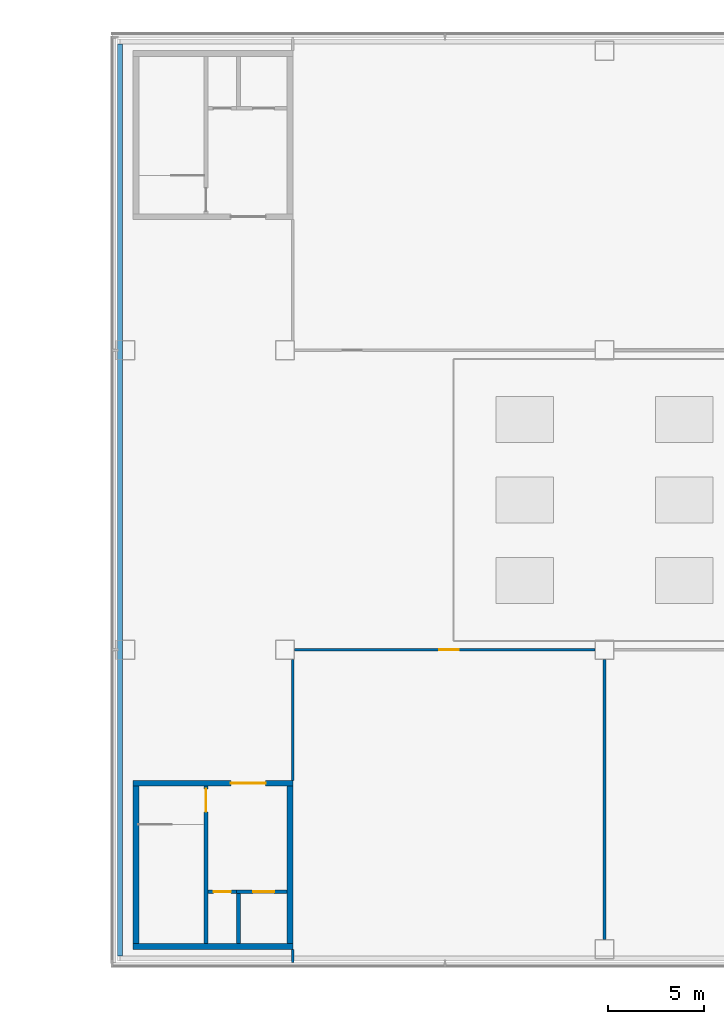
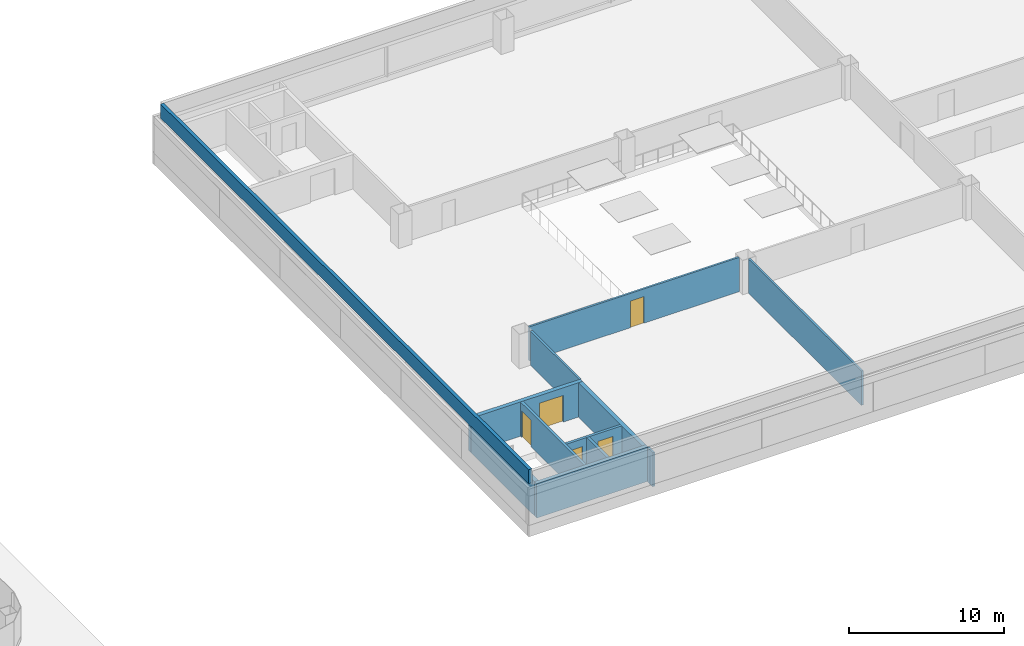
# One storey, part 28 of 42: 13 walls, 5 doors, 5 openings.
"""IFC4 building model written with IfcOpenShell, lengths in metres."""

from ifc_helpers import new_model, si_unit, direction, frame, frame_2d, origin, place, context, subcontext, project, spatial, rectangle, extrude, material, layer, layer_set, type_object, element, fill, save


model = new_model("IFC4")

# Units and contexts
model_context = context("Model", 3, precision=1e-05, world=origin(), true_north=direction((0.0, 1.0)))
body_context = subcontext(model_context, "Body", "Model", "MODEL_VIEW")
ifc_project = project(units=[si_unit("LENGTHUNIT", "METRE"), si_unit("AREAUNIT", "SQUARE_METRE"), si_unit("VOLUMEUNIT", "CUBIC_METRE"), si_unit("PLANEANGLEUNIT", "RADIAN"), si_unit("MASSUNIT", "GRAM", prefix="KILO")], contexts=[model_context])

# Site, building, storey
site_placement = place(None, origin())
site = spatial("IfcSite", under=ifc_project, at=site_placement, CompositionType="ELEMENT")
building_placement = place(site_placement, origin())
building = spatial("IfcBuilding", under=site, at=building_placement, Name="Hakoniwa Tower and Hamabe Station Hall", CompositionType="ELEMENT")
storey_placement = place(building_placement, frame((0.0, 0.0, 19.800048828125)))
storey = spatial("IfcBuildingStorey", under=building, at=storey_placement, Name="L04", CompositionType="ELEMENT", Elevation=19.800048828125)

# Wall, opening, door
ifc_material_1 = material(Name="Concrete block masonry fb10", Category="masonry")
ifc_layer_1 = layer(ifc_material_1, 0.199951171875)
ifc_layer_set_1 = layer_set([ifc_layer_1], Name="BLOCK WALL 200 EI 60")
wall_type_1 = type_object("IfcWallType", Name="BLOCK WALL 200 EI 60", PredefinedType="PARTITIONING", material=ifc_layer_set_1)
wall_1_placement = place(storey_placement, frame((90.25, -20.39990234375, 0.0), z_axis=(0.0, 0.0, 1.0), x_axis=(1.0, 0.0, 0.0)))
wall_1 = element("IfcWall", 1, at=wall_1_placement, inside=storey, type_object=wall_type_1, Name="Station riser room wall SC3 L04", PredefinedType="PARTITIONING", context=body_context, shape_type="SweptSolid", body=[
    extrude(rectangle(XDim=1.5, YDim=0.199951171875, at=frame_2d((0.75, 0.0))), origin(), (0.0, 0.0, 1.0), 2.699951171875),
])
opening_1_placement = place(wall_1_placement, frame((0.300048828125, 0.0, 0.0)))
opening_1 = element("IfcOpeningElement", 2, at=opening_1_placement, cuts=wall_1, Name="Opening SD-L04-024", PredefinedType="OPENING", context=body_context, shape_type="SweptSolid", body=[
    extrude(rectangle(XDim=0.89990234375, YDim=2.10009765625, at=frame_2d((0.449951171875, 1.050048828125))), frame((0.0, 0.10986328125, 0.0), z_axis=(0.0, -1.0, 0.0), x_axis=(1.0, 0.0, 0.0)), (0.0, 0.0, 1.0), 0.219970703125),
])
ifc_material_2 = material(Name="Steel fire door", Category="steel")
door_type_1 = type_object("IfcDoorType", Name="FIRE DOOR 900X2100 FD30", OperationType="SINGLE_SWING_LEFT", PredefinedType="DOOR", material=ifc_material_2)
door_1_placement = place(opening_1_placement, origin())
door_1 = element("IfcDoor", 3, at=door_1_placement, inside=storey, type_object=door_type_1, Name="Door riser SC3", OperationType="SINGLE_SWING_RIGHT", OverallHeight=2.10009765625, OverallWidth=0.89990234375, PredefinedType="DOOR", context=body_context, shape_type="SweptSolid", body=[
    extrude(rectangle(XDim=0.89990234375, YDim=2.10009765625, at=frame_2d((0.449951171875, 1.050048828125))), frame((0.0, 0.02490234375, 0.0), z_axis=(0.0, -1.0, 0.0), x_axis=(1.0, 0.0, 0.0)), (0.0, 0.0, 1.0), 0.050048828125),
])
fill(opening_1, door_1)

ifc_material_3 = material(Name="Fire-rated gypsum board partition")
ifc_layer_2 = layer(ifc_material_3, 0.14990234375)
ifc_layer_set_2 = layer_set([ifc_layer_2], Name="FIRE PARTITION 150 EI 60")
wall_type_2 = type_object("IfcWallType", Name="FIRE PARTITION 150 EI 60", PredefinedType="PARTITIONING", material=ifc_layer_set_2)
wall_2_placement = place(storey_placement, frame((94.77001953125, -7.800048828125, 0.0), z_axis=(0.0, 0.0, 1.0), x_axis=(1.0, 0.0, 0.0)))
wall_2 = element("IfcWall", 4, at=wall_2_placement, inside=storey, type_object=wall_type_2, Name="Partition L04 1", PredefinedType="PARTITIONING", context=body_context, shape_type="SweptSolid", body=[
    extrude(rectangle(XDim=15.639892578125, YDim=0.14990234375, at=frame_2d((7.81982421875, 0.0))), origin(), (0.0, 0.0, 1.0), 2.699951171875),
])
opening_2_placement = place(wall_2_placement, frame((7.534912109375, 0.0, 0.0)))
opening_2 = element("IfcOpeningElement", 5, at=opening_2_placement, cuts=wall_2, Name="Opening SD-L04-003", PredefinedType="OPENING", context=body_context, shape_type="SweptSolid", body=[
    extrude(rectangle(XDim=1.0, YDim=2.10009765625, at=frame_2d((0.5, 1.050048828125))), frame((0.0, 0.0849609375, 0.0), z_axis=(0.0, -1.0, 0.0), x_axis=(1.0, 0.0, 0.0)), (0.0, 0.0, 1.0), 0.169921875),
])
ifc_material_4 = material(Name="Timber door leaf", Category="wood")
door_type_2 = type_object("IfcDoorType", Name="SINGLE DOOR 1000X2100", OperationType="SINGLE_SWING_LEFT", PredefinedType="DOOR", material=ifc_material_4)
door_2_placement = place(opening_2_placement, origin())
door_2 = element("IfcDoor", 6, at=door_2_placement, inside=storey, type_object=door_type_2, Name="Door Board Room", OperationType="SINGLE_SWING_LEFT", OverallHeight=2.10009765625, OverallWidth=1.0, PredefinedType="DOOR", context=body_context, shape_type="SweptSolid", body=[
    extrude(rectangle(XDim=1.0, YDim=2.10009765625, at=frame_2d((0.5, 1.050048828125))), frame((0.0, 0.02490234375, 0.0), z_axis=(0.0, -1.0, 0.0), x_axis=(1.0, 0.0, 0.0)), (0.0, 0.0, 1.0), 0.050048828125),
])
fill(opening_2, door_2)

# Walls
wall_3_placement = place(storey_placement, frame((94.669921875, -24.10009765625, 0.0), z_axis=(0.0, 0.0, 1.0), x_axis=(0.0, 1.0, 0.0)))
element("IfcWall", 7, at=wall_3_placement, inside=storey, type_object=wall_type_2, Name="Partition L04 5", PredefinedType="PARTITIONING", context=body_context, shape_type="SweptSolid", body=[
    extrude(rectangle(XDim=0.7001953125, YDim=0.14990234375, at=frame_2d((0.35009765625, 0.0))), origin(), (0.0, 0.0, 1.0), 2.699951171875),
])
wall_4_placement = place(storey_placement, frame((94.669921875, -14.60009765625, 0.0), z_axis=(0.0, 0.0, 1.0), x_axis=(0.0, 1.0, 0.0)))
element("IfcWall", 8, at=wall_4_placement, inside=storey, type_object=wall_type_2, Name="Partition L04 6", PredefinedType="PARTITIONING", context=body_context, shape_type="SweptSolid", body=[
    extrude(rectangle(XDim=6.300048828125, YDim=0.14990234375, at=frame_2d((3.14990234375, 0.0))), origin(), (0.0, 0.0, 1.0), 2.699951171875),
])
wall_5_placement = place(storey_placement, frame((110.909912109375, -22.89990234375, 0.0), z_axis=(0.0, 0.0, 1.0), x_axis=(0.0, 1.0, 0.0)))
element("IfcWall", 9, at=wall_5_placement, inside=storey, type_object=wall_type_2, Name="Partition L04 9", PredefinedType="PARTITIONING", context=body_context, shape_type="SweptSolid", body=[
    extrude(rectangle(XDim=14.599853515625, YDim=0.14990234375, at=frame_2d((7.2998046875, 0.0))), origin(), (0.0, 0.0, 1.0), 2.699951171875),
])
ifc_material_5 = material(Name="Concrete C30", Category="concrete")
ifc_layer_3 = layer(ifc_material_5, 0.25)
ifc_layer_set_3 = layer_set([ifc_layer_3], Name="PARAPET WALL 250")
wall_type_3 = type_object("IfcWallType", Name="PARAPET WALL 250", PredefinedType="PARAPET", material=ifc_layer_set_3)
wall_6_placement = place(storey_placement, frame((85.675048828125, 23.75, 3.199951171875), z_axis=(0.0, 0.0, 1.0), x_axis=(0.0, -1.0, 0.0)))
element("IfcWall", 10, at=wall_6_placement, inside=storey, type_object=wall_type_3, Name="Station roof parapet", PredefinedType="PARAPET", context=body_context, shape_type="SweptSolid", body=[
    extrude(rectangle(XDim=47.5, YDim=0.25, at=frame_2d((23.75, 0.0))), origin(), (0.0, 0.0, 1.0), 1.10009765625),
])

# Wall, opening, door
ifc_material_6 = material(Name="Concrete C60", Category="concrete")
ifc_layer_4 = layer(ifc_material_6, 0.199951171875)
ifc_layer_set_4 = layer_set([ifc_layer_4], Name="RC WALL 200 EI 120 C60")
wall_type_4 = type_object("IfcWallType", Name="RC WALL 200 EI 120 C60", PredefinedType="SHEAR", material=ifc_layer_set_4)
wall_7_placement = place(storey_placement, frame((90.14990234375, -23.10009765625, 0.0), z_axis=(0.0, 0.0, 1.0), x_axis=(0.0, 1.0, 0.0)))
wall_7 = element("IfcWall", 11, at=wall_7_placement, inside=storey, type_object=wall_type_4, Name="Station stair wall SC3 L04", PredefinedType="SHEAR", context=body_context, shape_type="SweptSolid", body=[
    extrude(rectangle(XDim=8.2001953125, YDim=0.199951171875, at=frame_2d((4.10009765625, 0.0))), origin(), (0.0, 0.0, 1.0), 2.699951171875),
])
opening_3_placement = place(wall_7_placement, frame((6.85009765625, 0.0, 0.0)))
opening_3 = element("IfcOpeningElement", 12, at=opening_3_placement, cuts=wall_7, Name="Opening SD-L04-023", PredefinedType="OPENING", context=body_context, shape_type="SweptSolid", body=[
    extrude(rectangle(XDim=1.199951171875, YDim=2.10009765625, at=frame_2d((0.60009765625, 1.050048828125))), frame((0.0, 0.10986328125, 0.0), z_axis=(0.0, -1.0, 0.0), x_axis=(1.0, 0.0, 0.0)), (0.0, 0.0, 1.0), 0.219970703125),
])
ifc_material_7 = material(Name="Steel fire door", Category="steel")
door_type_3 = type_object("IfcDoorType", Name="FIRE DOOR 1200X2100 FD60", OperationType="SINGLE_SWING_LEFT", PredefinedType="DOOR", material=ifc_material_7)
door_3_placement = place(opening_3_placement, origin())
door_3 = element("IfcDoor", 13, at=door_3_placement, inside=storey, type_object=door_type_3, Name="Door escape stair SC3", OperationType="SINGLE_SWING_LEFT", OverallHeight=2.10009765625, OverallWidth=1.199951171875, PredefinedType="DOOR", context=body_context, shape_type="SweptSolid", body=[
    extrude(rectangle(XDim=1.199951171875, YDim=2.10009765625, at=frame_2d((0.60009765625, 1.050048828125))), frame((0.0, 0.02490234375, 0.0), z_axis=(0.0, -1.0, 0.0), x_axis=(1.0, 0.0, 0.0)), (0.0, 0.0, 1.0), 0.050048828125),
])
fill(opening_3, door_3)

# Wall
ifc_material_8 = material(Name="Concrete C60", Category="concrete")
ifc_layer_5 = layer(ifc_material_8, 0.199951171875)
ifc_layer_set_5 = layer_set([ifc_layer_5], Name="RC WALL 200 EI 60 C60")
wall_type_5 = type_object("IfcWallType", Name="RC WALL 200 EI 60 C60", PredefinedType="SHEAR", material=ifc_layer_set_5)
wall_8_placement = place(storey_placement, frame((91.85009765625, -23.10009765625, 0.0), z_axis=(0.0, 0.0, 1.0), x_axis=(0.0, 1.0, 0.0)))
element("IfcWall", 14, at=wall_8_placement, inside=storey, type_object=wall_type_5, Name="Station hoistway wall SC3 L04", PredefinedType="SHEAR", context=body_context, shape_type="SweptSolid", body=[
    extrude(rectangle(XDim=2.60009765625, YDim=0.199951171875, at=frame_2d((1.300048828125, 0.0))), origin(), (0.0, 0.0, 1.0), 2.699951171875),
])

# Wall, opening, door
wall_9_placement = place(storey_placement, frame((91.75, -20.39990234375, 0.0), z_axis=(0.0, 0.0, 1.0), x_axis=(1.0, 0.0, 0.0)))
wall_9 = element("IfcWall", 15, at=wall_9_placement, inside=storey, type_object=wall_type_5, Name="Station hoistway front wall SC3 L04", PredefinedType="SHEAR", context=body_context, shape_type="SweptSolid", body=[
    extrude(rectangle(XDim=2.6201171875, YDim=0.199951171875, at=frame_2d((1.31005859375, 0.0))), origin(), (0.0, 0.0, 1.0), 2.699951171875),
])
opening_4_placement = place(wall_9_placement, frame((0.85009765625, 0.0, 0.0)))
opening_4 = element("IfcOpeningElement", 16, at=opening_4_placement, cuts=wall_9, Name="Opening LD-SL3-L04", PredefinedType="OPENING", context=body_context, shape_type="SweptSolid", body=[
    extrude(rectangle(XDim=1.10009765625, YDim=2.10009765625, at=frame_2d((0.550048828125, 1.050048828125))), frame((0.0, 0.10986328125, 0.0), z_axis=(0.0, -1.0, 0.0), x_axis=(1.0, 0.0, 0.0)), (0.0, 0.0, 1.0), 0.219970703125),
])
ifc_material_9 = material(Name="Stainless steel SUS304", Category="steel")
door_type_4 = type_object("IfcDoorType", Name="LIFT LANDING DOOR 1100X2100", OperationType="DOUBLE_DOOR_SLIDING", PredefinedType="DOOR", material=ifc_material_9)
door_4_placement = place(opening_4_placement, origin())
door_4 = element("IfcDoor", 17, at=door_4_placement, inside=storey, type_object=door_type_4, Name="Lift landing door SL3 L04", OperationType="DOUBLE_DOOR_SLIDING", OverallHeight=2.10009765625, OverallWidth=1.10009765625, PredefinedType="DOOR", context=body_context, shape_type="SweptSolid", body=[
    extrude(rectangle(XDim=1.10009765625, YDim=2.10009765625, at=frame_2d((0.550048828125, 1.050048828125))), frame((0.0, 0.02490234375, 0.0), z_axis=(0.0, -1.0, 0.0), x_axis=(1.0, 0.0, 0.0)), (0.0, 0.0, 1.0), 0.050048828125),
])
fill(opening_4, door_4)

# Wall
ifc_material_10 = material(Name="Concrete C60", Category="concrete")
ifc_layer_6 = layer(ifc_material_10, 0.300048828125)
ifc_layer_set_6 = layer_set([ifc_layer_6], Name="RC WALL 300 EI 120 C60")
wall_type_6 = type_object("IfcWallType", Name="RC WALL 300 EI 120 C60", PredefinedType="SHEAR", material=ifc_layer_set_6)
wall_10_placement = place(storey_placement, frame((86.35009765625, -23.25, 0.0), z_axis=(0.0, 0.0, 1.0), x_axis=(1.0, 0.0, 0.0)))
element("IfcWall", 18, at=wall_10_placement, inside=storey, type_object=wall_type_6, Name="Station core wall SC3 outer-v L04", PredefinedType="SHEAR", context=body_context, shape_type="SweptSolid", body=[
    extrude(rectangle(XDim=8.31982421875, YDim=0.300048828125, at=frame_2d((4.159912109375, 0.0))), origin(), (0.0, 0.0, 1.0), 2.699951171875),
])

# Wall, opening, door
wall_11_placement = place(storey_placement, frame((86.35009765625, -14.75, 0.0), z_axis=(0.0, 0.0, 1.0), x_axis=(1.0, 0.0, 0.0)))
wall_11 = element("IfcWall", 19, at=wall_11_placement, inside=storey, type_object=wall_type_6, Name="Station core wall SC3 inner-v L04", PredefinedType="SHEAR", context=body_context, shape_type="SweptSolid", body=[
    extrude(rectangle(XDim=8.31982421875, YDim=0.300048828125, at=frame_2d((4.159912109375, 0.0))), origin(), (0.0, 0.0, 1.0), 2.699951171875),
])
opening_5_placement = place(wall_11_placement, frame((5.10009765625, 0.0, 0.0)))
opening_5 = element("IfcOpeningElement", 20, at=opening_5_placement, cuts=wall_11, Name="Opening SD-L04-022", PredefinedType="OPENING", context=body_context, shape_type="SweptSolid", body=[
    extrude(rectangle(XDim=1.800048828125, YDim=2.10009765625, at=frame_2d((0.89990234375, 1.050048828125))), frame((0.0, 0.159912109375, 0.0), z_axis=(0.0, -1.0, 0.0), x_axis=(1.0, 0.0, 0.0)), (0.0, 0.0, 1.0), 0.320068359375),
])
ifc_material_11 = material(Name="Steel fire door", Category="steel")
door_type_5 = type_object("IfcDoorType", Name="FIRE DOUBLE DOOR 1800X2100 FD60", OperationType="DOUBLE_DOOR_SINGLE_SWING", PredefinedType="DOOR", material=ifc_material_11)
door_5_placement = place(opening_5_placement, origin())
door_5 = element("IfcDoor", 21, at=door_5_placement, inside=storey, type_object=door_type_5, Name="Door lobby SC3", OperationType="DOUBLE_DOOR_SINGLE_SWING", OverallHeight=2.10009765625, OverallWidth=1.800048828125, PredefinedType="DOOR", context=body_context, shape_type="SweptSolid", body=[
    extrude(rectangle(XDim=1.800048828125, YDim=2.10009765625, at=frame_2d((0.89990234375, 1.050048828125))), frame((0.0, 0.02490234375, 0.0), z_axis=(0.0, -1.0, 0.0), x_axis=(1.0, 0.0, 0.0)), (0.0, 0.0, 1.0), 0.050048828125),
])
fill(opening_5, door_5)

# Walls
for number, where, z_axis, x_axis, name in (
    (22, (86.5, -23.10009765625, 0.0), (0.0, 0.0, 1.0), (0.0, 1.0, 0.0), "Station core wall SC3 outer-u L04"),
    (23, (94.52001953125, -23.10009765625, 0.0), (0.0, 0.0, 1.0), (0.0, 1.0, 0.0), "Station core wall SC3 inner-u L04"),
):
    element("IfcWall", number, at=place(storey_placement, frame(where, z_axis=z_axis, x_axis=x_axis)), inside=storey, type_object=wall_type_6, Name=name, PredefinedType="SHEAR", context=body_context, shape_type="SweptSolid", body=[
        extrude(rectangle(XDim=8.2001953125, YDim=0.300048828125, at=frame_2d((4.10009765625, 0.0))), origin(), (0.0, 0.0, 1.0), 2.699951171875),
    ])

save(model, "model.ifc")
